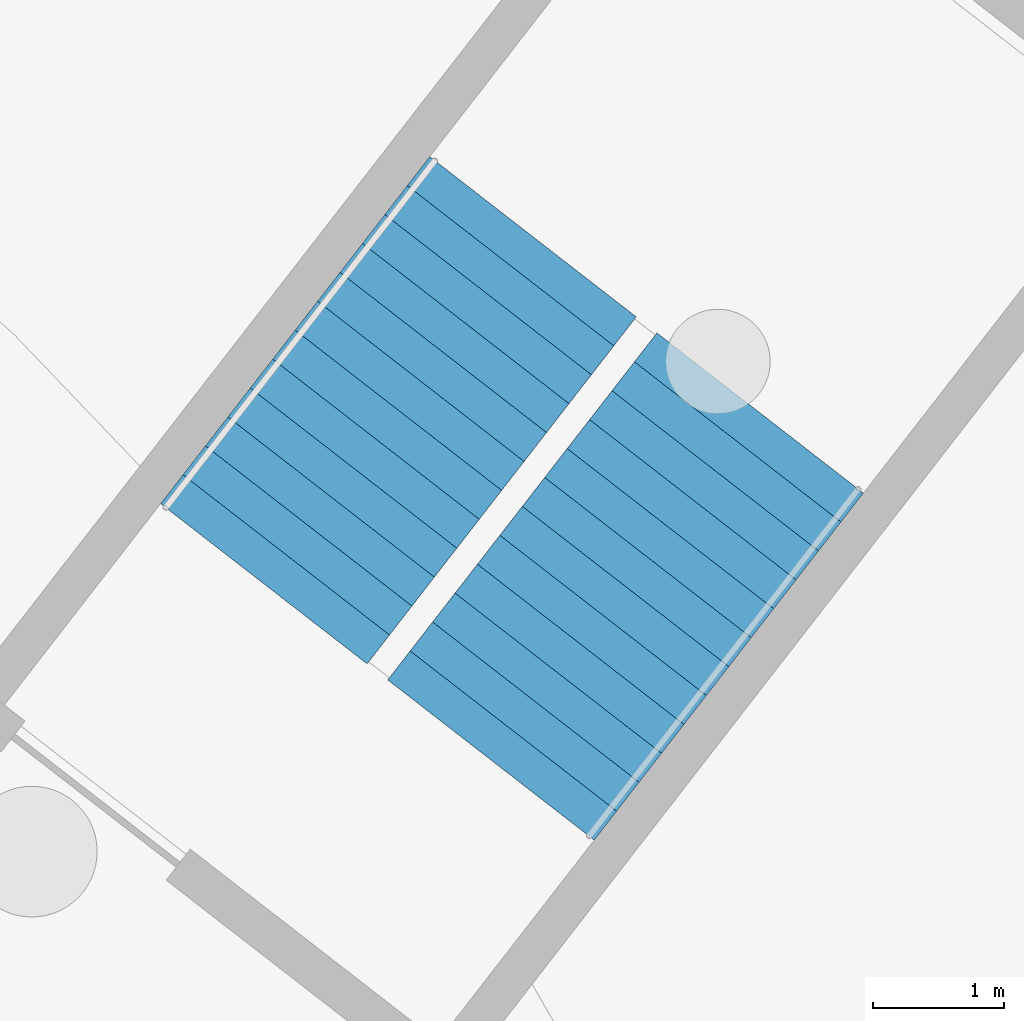
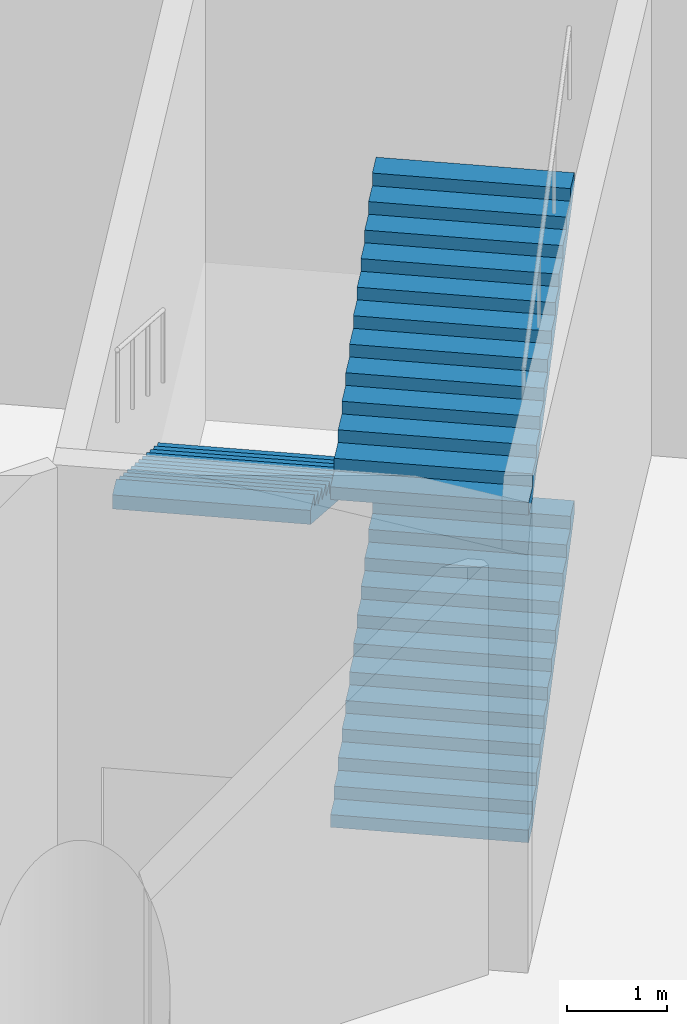
# One storey, part 8 of 12: 3 stair flights, 1 element without a shape of its own.
"""IFC4 building model written with IfcOpenShell, lengths in metres."""

from ifc_helpers import new_model, si_unit, direction, frame, origin, place, context, subcontext, project, spatial, polyline, outline, extrude, material, type_object, element, aggregate, save


model = new_model("IFC4")

# Units and contexts
model_context = context("Model", 3, precision=1e-05, world=origin(), true_north=direction((0.0, 1.0)))
body_context = subcontext(model_context, "Body", "Model", "MODEL_VIEW")
ifc_project = project(units=[si_unit("LENGTHUNIT", "METRE"), si_unit("AREAUNIT", "SQUARE_METRE"), si_unit("VOLUMEUNIT", "CUBIC_METRE"), si_unit("PLANEANGLEUNIT", "RADIAN"), si_unit("MASSUNIT", "GRAM", prefix="KILO")], contexts=[model_context])

# Site, building, storey
site_placement = place(None, origin())
site = spatial("IfcSite", under=ifc_project, at=site_placement, CompositionType="ELEMENT")
building_placement = place(site_placement, origin())
building = spatial("IfcBuilding", under=site, at=building_placement, Name="Hankou Lantern Tower", CompositionType="ELEMENT")
storey_placement = place(building_placement, frame((0.0, 0.0, -6.0)))
storey = spatial("IfcBuildingStorey", under=building, at=storey_placement, Name="B1", CompositionType="ELEMENT", Elevation=-6.0)

# Stair, stair flights
ifc_material_1 = material(Name="Concrete C40", Category="concrete")
stair_type = type_object("IfcStairType", Name="PS60 PODIUM STAIR 6000 RISE", PredefinedType="HALF_TURN_STAIR", material=ifc_material_1)
stair_placement = place(storey_placement, origin())
stair = element("IfcStair", 1, at=stair_placement, inside=storey, type_object=stair_type, Name="Stair BS1 B1", PredefinedType="HALF_TURN_STAIR")
ifc_material_2 = material(Name="Concrete C40", Category="concrete")
stair_flight_type = type_object("IfcStairFlightType", Name="PF13 PODIUM STAIR FLIGHT 2000 X 13 RISERS", PredefinedType="STRAIGHT", material=ifc_material_2)
stair_flight_1_placement = place(storey_placement, frame((27.513671875, 12.701171875, 0.0), z_axis=(0.0, 0.0, 1.0), x_axis=(0.612939606608, 0.790129760642, 0.0)))
stair_flight_1 = element("IfcStairFlight", 2, at=stair_flight_1_placement, type_object=stair_flight_type, Name="BS1 flight 1", NumberOfRisers=13, NumberOfTreads=12, PredefinedType="STRAIGHT", RiserHeight=0.153846154, TreadLength=0.28, context=body_context, shape_type="SweptSolid", body=[
    extrude(outline(polyline([(0.0, 0.0), (0.0, 0.15380859375), (0.280029296875, 0.15380859375), (0.280029296875, 0.3076171875), (0.56005859375, 0.3076171875), (0.56005859375, 0.46142578125), (0.840087890625, 0.46142578125), (0.840087890625, 0.615478515625), (1.1201171875, 0.615478515625), (1.1201171875, 0.769287109375), (1.39990234375, 0.769287109375), (1.39990234375, 0.923095703125), (1.679931640625, 0.923095703125), (1.679931640625, 1.076904296875), (1.9599609375, 1.076904296875), (1.9599609375, 1.230712890625), (2.239990234375, 1.230712890625), (2.239990234375, 1.384521484375), (2.52001953125, 1.384521484375), (2.52001953125, 1.53857421875), (2.800048828125, 1.53857421875), (2.800048828125, 1.6923828125), (3.080078125, 1.6923828125), (3.080078125, 1.84619140625), (3.360107421875, 1.84619140625), (3.360107421875, 2.0), (3.360107421875, 1.675048828125), (0.311279296875, 0.0), (0.0, 0.0)])), frame((0.0, 1.0, 0.0), z_axis=(0.0, -1.0, 0.0), x_axis=(1.0, 0.0, 0.0)), (0.0, 0.0, 1.0), 2.0),
])
stair_flight_2_placement = place(storey_placement, frame((27.8349609375, 16.70458984375, 2.0), z_axis=(0.0, 0.0, 1.0), x_axis=(-0.612939606608, -0.790129760642, 0.0)))
stair_flight_2 = element("IfcStairFlight", 3, at=stair_flight_2_placement, type_object=stair_flight_type, Name="BS1 flight 2", NumberOfRisers=13, NumberOfTreads=12, PredefinedType="STRAIGHT", RiserHeight=0.153846154, TreadLength=0.28, context=body_context, shape_type="SweptSolid", body=[
    extrude(outline(polyline([(0.0, 0.0), (0.0, 0.15380859375), (0.280029296875, 0.15380859375), (0.280029296875, 0.3076171875), (0.56005859375, 0.3076171875), (0.56005859375, 0.46142578125), (0.840087890625, 0.46142578125), (0.840087890625, 0.615478515625), (1.1201171875, 0.615478515625), (1.1201171875, 0.769287109375), (1.39990234375, 0.769287109375), (1.39990234375, 0.923095703125), (1.679931640625, 0.923095703125), (1.679931640625, 1.076904296875), (1.9599609375, 1.076904296875), (1.9599609375, 1.230712890625), (2.239990234375, 1.230712890625), (2.239990234375, 1.384521484375), (2.52001953125, 1.384521484375), (2.52001953125, 1.53857421875), (2.800048828125, 1.53857421875), (2.800048828125, 1.6923828125), (3.080078125, 1.6923828125), (3.080078125, 1.84619140625), (3.360107421875, 1.84619140625), (3.360107421875, 2.0), (3.360107421875, 1.675048828125), (0.311279296875, 0.0), (0.0, 0.0)])), frame((0.0, 1.0, 0.0), z_axis=(0.0, -1.0, 0.0), x_axis=(1.0, 0.0, 0.0)), (0.0, 0.0, 1.0), 2.0),
])
stair_flight_3_placement = place(storey_placement, frame((27.513671875, 12.701171875, 4.0), z_axis=(0.0, 0.0, 1.0), x_axis=(0.612939606608, 0.790129760642, 0.0)))
stair_flight_3 = element("IfcStairFlight", 4, at=stair_flight_3_placement, type_object=stair_flight_type, Name="BS1 flight 3", NumberOfRisers=13, NumberOfTreads=12, PredefinedType="STRAIGHT", RiserHeight=0.153846154, TreadLength=0.28, context=body_context, shape_type="SweptSolid", body=[
    extrude(outline(polyline([(0.0, 0.0), (0.0, 0.15380859375), (0.280029296875, 0.15380859375), (0.280029296875, 0.3076171875), (0.56005859375, 0.3076171875), (0.56005859375, 0.46142578125), (0.840087890625, 0.46142578125), (0.840087890625, 0.615478515625), (1.1201171875, 0.615478515625), (1.1201171875, 0.769287109375), (1.39990234375, 0.769287109375), (1.39990234375, 0.923095703125), (1.679931640625, 0.923095703125), (1.679931640625, 1.076904296875), (1.9599609375, 1.076904296875), (1.9599609375, 1.230712890625), (2.239990234375, 1.230712890625), (2.239990234375, 1.384521484375), (2.52001953125, 1.384521484375), (2.52001953125, 1.53857421875), (2.800048828125, 1.53857421875), (2.800048828125, 1.6923828125), (3.080078125, 1.6923828125), (3.080078125, 1.84619140625), (3.360107421875, 1.84619140625), (3.360107421875, 2.0), (3.360107421875, 1.675048828125), (0.311279296875, 0.0), (0.0, 0.0)])), frame((0.0, 1.0, 0.0), z_axis=(0.0, -1.0, 0.0), x_axis=(1.0, 0.0, 0.0)), (0.0, 0.0, 1.0), 2.0),
])
aggregate(stair, [stair_flight_1, stair_flight_2, stair_flight_3])

save(model, "model.ifc")
